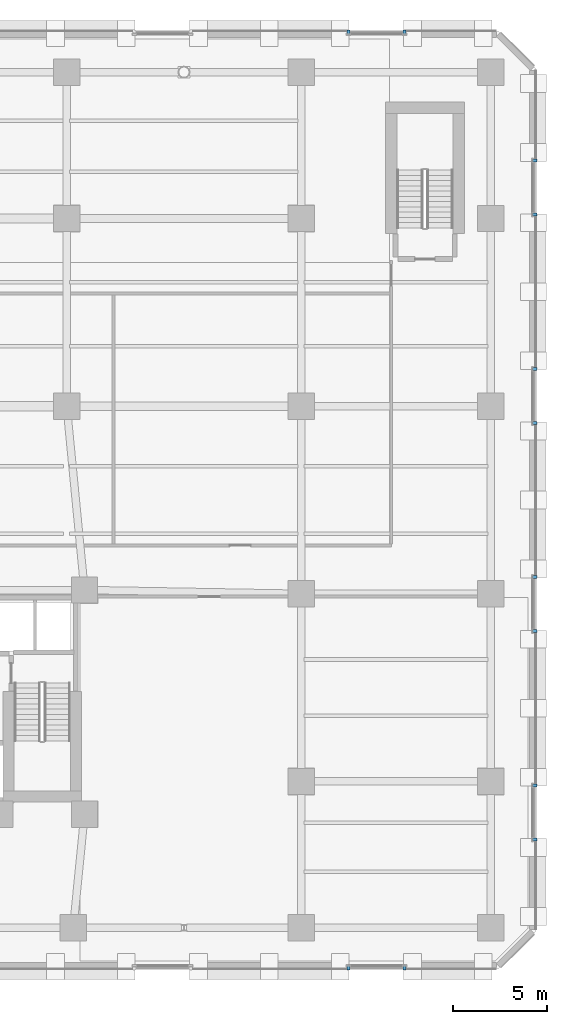
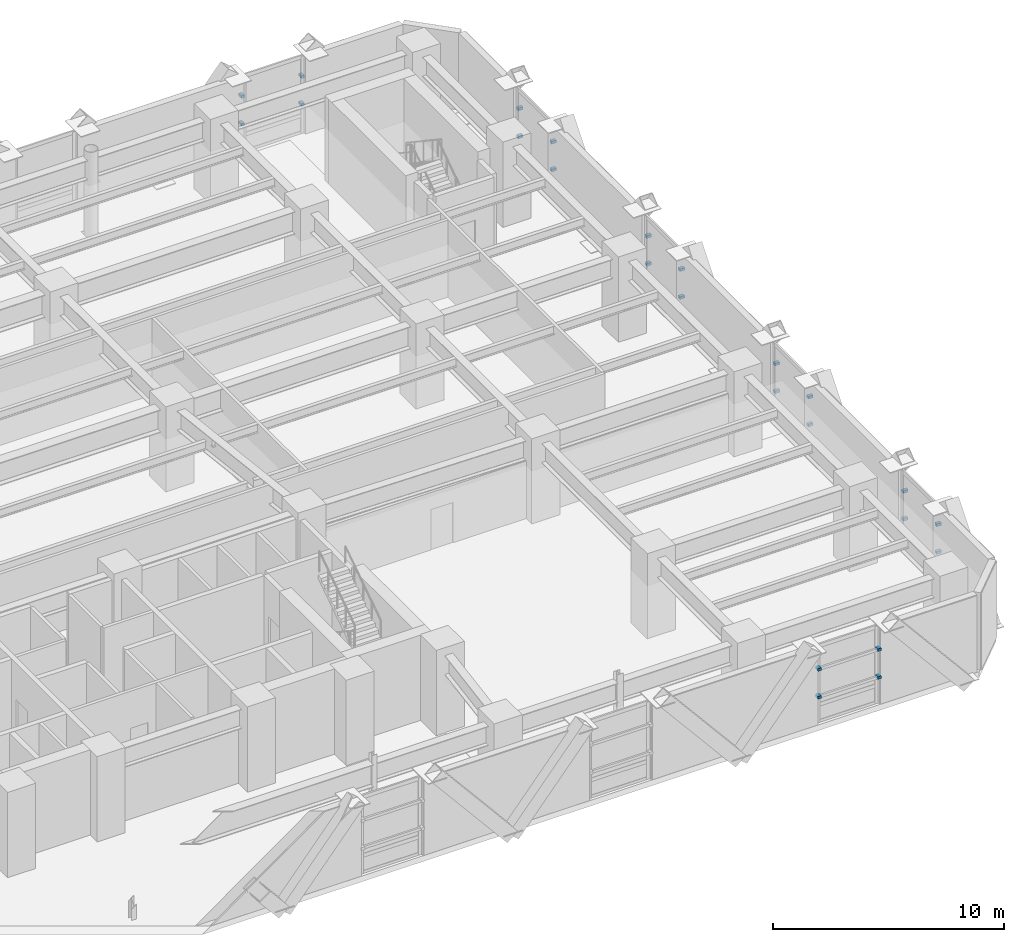
# One storey, part 19 of 26: 24 discrete accessories.
"""IFC4 building model written with IfcOpenShell, lengths in metres."""

from ifc_helpers import new_model, si_unit, direction, frame, origin, origin_2d, place, context, subcontext, project, spatial, rectangle, extrude, material, type_object, element, save


model = new_model("IFC4")

# Units and contexts
model_context = context("Model", 3, precision=1e-05, world=origin(), true_north=direction((0.0, 1.0)))
body_context = subcontext(model_context, "Body", "Model", "MODEL_VIEW")
ifc_project = project(units=[si_unit("LENGTHUNIT", "METRE"), si_unit("AREAUNIT", "SQUARE_METRE"), si_unit("VOLUMEUNIT", "CUBIC_METRE"), si_unit("PLANEANGLEUNIT", "RADIAN"), si_unit("MASSUNIT", "GRAM", prefix="KILO")], contexts=[model_context])

# Site, building, storey
site_placement = place(None, origin())
site = spatial("IfcSite", under=ifc_project, at=site_placement, CompositionType="ELEMENT")
building_placement = place(site_placement, origin())
building = spatial("IfcBuilding", under=site, at=building_placement, Name="Quenlor Broadcast Tower", CompositionType="ELEMENT")
storey_placement = place(building_placement, frame((0.0, 0.0, 18.5)))
storey = spatial("IfcBuildingStorey", under=building, at=storey_placement, Name="L04", CompositionType="ELEMENT", Elevation=18.5)

# Discrete accessories
ifc_material = material(Name="Aluminium 6063-T6", Category="aluminium")
discrete_accessory_type = type_object("IfcDiscreteAccessoryType", Name="Stainless Mullion Baguette Support Bracket", PredefinedType="BRACKET", material=ifc_material)
for number, where, z_axis, x_axis, name in (
    (1, (29.993896484375, -24.93994140625, 1.39892578125), (0.0, 0.0, 1.0), (-1.0, 0.0, 0.0), "L04 Baguette Mullion Bracket 1.1"),
    (2, (27.006103515625, -24.93994140625, 1.39892578125), (0.0, 0.0, 1.0), (-1.0, 0.0, 0.0), "L04 Baguette Mullion Bracket 1.2"),
    (3, (29.993896484375, -24.93994140625, 2.86767578125), (0.0, 0.0, 1.0), (-1.0, 0.0, 0.0), "L04 Baguette Mullion Bracket 2.1"),
    (4, (27.006103515625, -24.93994140625, 2.86767578125), (0.0, 0.0, 1.0), (-1.0, 0.0, 0.0), "L04 Baguette Mullion Bracket 2.2"),
    (5, (27.006103515625, 24.93994140625, 1.39892578125), (0.0, 0.0, 1.0), (1.0, 0.0, 0.0), "L04 Baguette Mullion Bracket 1.1"),
    (6, (29.993896484375, 24.93994140625, 1.39892578125), (0.0, 0.0, 1.0), (1.0, 0.0, 0.0), "L04 Baguette Mullion Bracket 1.2"),
    (7, (27.006103515625, 24.93994140625, 2.86767578125), (0.0, 0.0, 1.0), (1.0, 0.0, 0.0), "L04 Baguette Mullion Bracket 2.1"),
    (8, (29.993896484375, 24.93994140625, 2.86767578125), (0.0, 0.0, 1.0), (1.0, 0.0, 0.0), "L04 Baguette Mullion Bracket 2.2"),
    (9, (36.93994140625, 18.093505859375, 1.39892578125), (0.0, 0.0, 1.0), (0.0, -1.0, 0.0), "L04 Baguette Mullion Bracket 1.1"),
    (10, (36.93994140625, 15.206298828125, 1.39892578125), (0.0, 0.0, 1.0), (0.0, -1.0, 0.0), "L04 Baguette Mullion Bracket 1.2"),
    (11, (36.93994140625, 18.093505859375, 2.86767578125), (0.0, 0.0, 1.0), (0.0, -1.0, 0.0), "L04 Baguette Mullion Bracket 2.1"),
    (12, (36.93994140625, 15.206298828125, 2.86767578125), (0.0, 0.0, 1.0), (0.0, -1.0, 0.0), "L04 Baguette Mullion Bracket 2.2"),
    (13, (36.93994140625, 6.99365234375, 1.39892578125), (0.0, 0.0, 1.0), (0.0, -1.0, 0.0), "L04 Baguette Mullion Bracket 1.1"),
    (14, (36.93994140625, 4.1064453125, 1.39892578125), (0.0, 0.0, 1.0), (0.0, -1.0, 0.0), "L04 Baguette Mullion Bracket 1.2"),
    (15, (36.93994140625, 6.99365234375, 2.86767578125), (0.0, 0.0, 1.0), (0.0, -1.0, 0.0), "L04 Baguette Mullion Bracket 2.1"),
    (16, (36.93994140625, 4.1064453125, 2.86767578125), (0.0, 0.0, 1.0), (0.0, -1.0, 0.0), "L04 Baguette Mullion Bracket 2.2"),
    (17, (36.93994140625, -4.1064453125, 1.39892578125), (0.0, 0.0, 1.0), (0.0, -1.0, 0.0), "L04 Baguette Mullion Bracket 1.1"),
    (18, (36.93994140625, -6.99365234375, 1.39892578125), (0.0, 0.0, 1.0), (0.0, -1.0, 0.0), "L04 Baguette Mullion Bracket 1.2"),
    (19, (36.93994140625, -4.1064453125, 2.86767578125), (0.0, 0.0, 1.0), (0.0, -1.0, 0.0), "L04 Baguette Mullion Bracket 2.1"),
    (20, (36.93994140625, -6.99365234375, 2.86767578125), (0.0, 0.0, 1.0), (0.0, -1.0, 0.0), "L04 Baguette Mullion Bracket 2.2"),
    (21, (36.93994140625, -15.206298828125, 1.39892578125), (0.0, 0.0, 1.0), (0.0, -1.0, 0.0), "L04 Baguette Mullion Bracket 1.1"),
    (22, (36.93994140625, -18.093505859375, 1.39892578125), (0.0, 0.0, 1.0), (0.0, -1.0, 0.0), "L04 Baguette Mullion Bracket 1.2"),
    (23, (36.93994140625, -15.206298828125, 2.86767578125), (0.0, 0.0, 1.0), (0.0, -1.0, 0.0), "L04 Baguette Mullion Bracket 2.1"),
    (24, (36.93994140625, -18.093505859375, 2.86767578125), (0.0, 0.0, 1.0), (0.0, -1.0, 0.0), "L04 Baguette Mullion Bracket 2.2"),
):
    element("IfcDiscreteAccessory", number, at=place(storey_placement, frame(where, z_axis=z_axis, x_axis=x_axis)), inside=storey, type_object=discrete_accessory_type, Name=name, PredefinedType="BRACKET", context=body_context, shape_type="SweptSolid", body=[
        extrude(rectangle(XDim=0.159912109375, YDim=0.239990234375, at=origin_2d()), origin(), (0.0, 0.0, 1.0), 0.139892578125),
    ])

save(model, "model.ifc")
